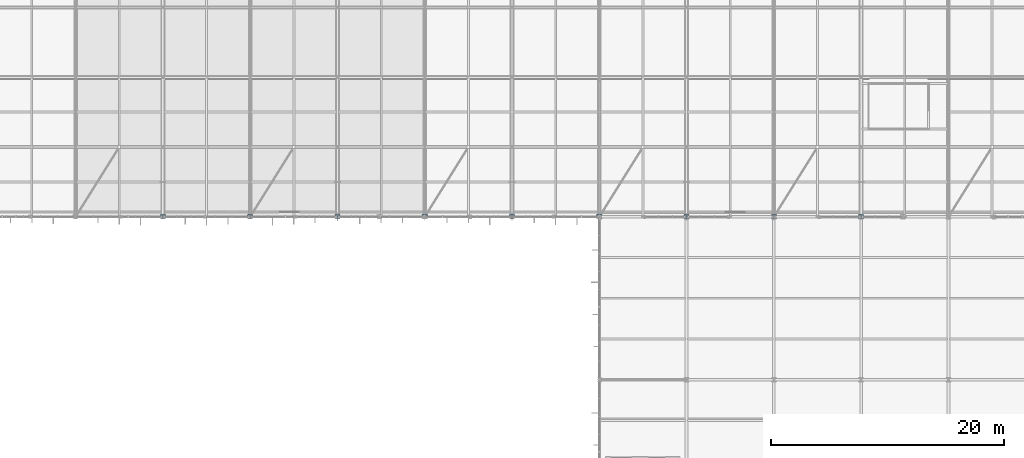
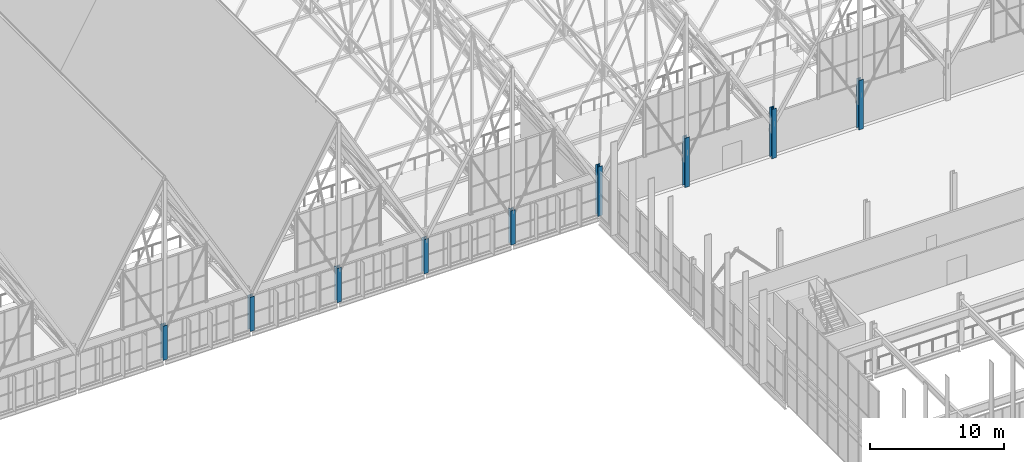
# One storey, part 9 of 324: 9 columns.
"""IFC4 building model written with IfcOpenShell, lengths in metres."""

import ifcopenshell
import ifcopenshell.guid

model = None  # the IFC model being written
_history = None  # IfcOwnerHistory: only IFC2X3 demands one
_inside = {}  # id of a spatial element -> (the spatial element, [elements in it])
_under = {}  # id of a project, library or spatial element -> (it, [spatial elements below it])
_declared = {}  # id of a project -> (the project, [libraries it declares])
_typed = {}  # id of a type object -> (the type object, [elements of that type])
_made_of = {}  # id of a material, layer set ... -> (it, [elements and type objects made of it])


def new_model(schema):
    """Start an empty IFC model of exactly this schema.

    Asked for "IFC4X3", IfcOpenShell would pick the latest addendum, in which some entities
    have other attributes; the version numbers below select the first issue.
    IFC2X3 requires an IfcOwnerHistory on every rooted entity: one is made here for all.
    """
    global model, _history
    if schema == "IFC4X3":
        model = ifcopenshell.file(schema_version=(4, 3, 0, 0))
    else:
        model = ifcopenshell.file(schema=schema)
    _inside.clear()
    _under.clear()
    _declared.clear()
    _typed.clear()
    _made_of.clear()
    _history = None
    if model.schema == "IFC2X3":
        org = make("IfcOrganization", Name="unknown")
        user = make(
            "IfcPersonAndOrganization",
            ThePerson=make("IfcPerson", FamilyName="unknown"),
            TheOrganization=org,
        )
        app = make(
            "IfcApplication",
            ApplicationDeveloper=org,
            Version="unknown",
            ApplicationFullName="unknown",
            ApplicationIdentifier="unknown",
        )
        _history = make(
            "IfcOwnerHistory",
            OwningUser=user,
            OwningApplication=app,
            ChangeAction="ADDED",
            CreationDate=0,
        )
    return model


def make(cls, **values):
    """One entity of the class cls with the attributes given. An attribute that is None is left unset."""
    return model.create_entity(
        cls, **{name: value for name, value in values.items() if value is not None}
    )


def rooted(cls, **values):
    """An entity with a GlobalId (a new one), such as an element, a storey or a relation."""
    return make(cls, GlobalId=ifcopenshell.guid.new(), OwnerHistory=_history, **values)


def si_unit(unit_type, name, prefix=None):
    """IfcSIUnit, for example si_unit("LENGTHUNIT", "METRE", prefix="MILLI")."""
    return make("IfcSIUnit", UnitType=unit_type, Prefix=prefix, Name=name)


def assignment(units):
    """IfcUnitAssignment: the units of a project."""
    return None if units is None else make("IfcUnitAssignment", Units=units)


def point(xyz):
    """IfcCartesianPoint."""
    return None if xyz is None else make("IfcCartesianPoint", Coordinates=xyz)


def direction(xyz):
    """IfcDirection."""
    return None if xyz is None else make("IfcDirection", DirectionRatios=xyz)


def frame(location, z_axis=None, x_axis=None):
    """IfcAxis2Placement3D, a coordinate frame: its origin and axes. An axis left out is left unset."""
    return make(
        "IfcAxis2Placement3D",
        Location=point(location),
        Axis=direction(z_axis),
        RefDirection=direction(x_axis),
    )


def frame_2d(location, x_axis=None):
    """IfcAxis2Placement2D, a coordinate frame in the plane: its origin and x axis."""
    return make(
        "IfcAxis2Placement2D", Location=point(location), RefDirection=direction(x_axis)
    )


def origin():
    """The frame at (0, 0, 0) with its axes left unset."""
    return frame((0.0, 0.0, 0.0))


def origin_2d():
    """The frame at (0, 0) in the plane with its x axis left unset."""
    return frame_2d((0.0, 0.0))


def place(relative_to, where):
    """IfcLocalPlacement: puts the frame where relative to a parent placement (None: the world)."""
    return make(
        "IfcLocalPlacement", PlacementRelTo=relative_to, RelativePlacement=where
    )


def context(
    kind, dimensions, precision=None, world=None, true_north=None, identifier=None
):
    """IfcGeometricRepresentationContext, for example the 3D "Model" context."""
    return make(
        "IfcGeometricRepresentationContext",
        ContextIdentifier=identifier,
        ContextType=kind,
        CoordinateSpaceDimension=dimensions,
        Precision=precision,
        WorldCoordinateSystem=world,
        TrueNorth=true_north,
    )


def subcontext(parent, identifier, kind, view, scale=None):
    """IfcGeometricRepresentationSubContext, for example "Body" below "Model"."""
    return make(
        "IfcGeometricRepresentationSubContext",
        ContextIdentifier=identifier,
        ContextType=kind,
        ParentContext=parent,
        TargetScale=scale,
        TargetView=view,
    )


def project(units=None, contexts=None):
    """IfcProject with its units and contexts."""
    return rooted(
        "IfcProject",
        Name="project",
        RepresentationContexts=contexts,
        UnitsInContext=assignment(units),
    )


def spatial(cls, under=None, at=None, **own):
    """A site, building, storey or space (cls), placed at a placement, below another one or the project."""
    s = rooted(cls, ObjectPlacement=at, **own)
    if under is not None:
        _under.setdefault(under.id(), (under, []))[1].append(s)
    return s


def profile(cls, at=None, kind="AREA", **sizes):
    """A parametric profile (cls). Its sizes go by their IFC names, for example OverallWidth=200.0."""
    return make(cls, ProfileType=kind, Position=at, **sizes)


def i_section(**sizes):
    """IfcIShapeProfileDef."""
    return profile("IfcIShapeProfileDef", **sizes)


def extrude(swept, where, along, depth):
    """IfcExtrudedAreaSolid: the profile swept, set in the frame where, extruded along a direction by depth."""
    return make(
        "IfcExtrudedAreaSolid",
        SweptArea=swept,
        Position=where,
        ExtrudedDirection=direction(along),
        Depth=depth,
    )


def shape(context_of_items, identifier, shape_type, items):
    """IfcShapeRepresentation: the items that make up one representation, for example the "Body"."""
    return make(
        "IfcShapeRepresentation",
        ContextOfItems=context_of_items,
        RepresentationIdentifier=identifier,
        RepresentationType=shape_type,
        Items=items,
    )


def material(Name=None, Category=None):
    """IfcMaterial."""
    return make("IfcMaterial", Name=Name, Category=Category)


def material_profile(
    of_material, cross_section, Name=None, Category=None, Priority=None
):
    """IfcMaterialProfile: a cross section and its material."""
    return make(
        "IfcMaterialProfile",
        Name=Name,
        Material=of_material,
        Profile=cross_section,
        Priority=Priority,
        Category=Category,
    )


def profile_set(profiles, Name=None, composite=None):
    """IfcMaterialProfileSet."""
    return make(
        "IfcMaterialProfileSet",
        Name=Name,
        MaterialProfiles=profiles,
        CompositeProfile=composite,
    )


def made_of(thing, what):
    """Note that an element or type object is made of a material, layer set ...; save() writes the relation."""
    if what is not None:
        _made_of.setdefault(what.id(), (what, []))[1].append(thing)
    return thing


def type_object(cls, material=None, **own):
    """A type object (cls), such as IfcWallType, which elements share."""
    return made_of(rooted(cls, **own), material)


def element(
    cls,
    number,
    at=None,
    inside=None,
    cuts=None,
    type_object=None,
    material=None,
    context=None,
    identifier="Body",
    shape_type=None,
    held_by="IfcProductDefinitionShape",
    body=None,
    shapes=None,
    **own,
):
    """One element of the class cls, such as IfcWall. Its Tag is "e" and its number.

    at: its placement. inside: the storey or other place that contains it. cuts: it is an
    opening in that element (IfcRelVoidsElement). A single representation is given by context,
    identifier, shape_type and body (its items); several are given by shapes. held_by: the class
    of the entity that holds the representations. save() writes the other relations.
    """
    e = rooted(cls, Tag="e%d" % number, ObjectPlacement=at, **own)
    if body is not None:
        shapes = [shape(context, identifier, shape_type, body)]
    if shapes is not None:
        e.Representation = make(held_by, Representations=shapes)
    if inside is not None:
        _inside.setdefault(inside.id(), (inside, []))[1].append(e)
    if cuts is not None:
        rooted(
            "IfcRelVoidsElement", RelatingBuildingElement=cuts, RelatedOpeningElement=e
        )
    if type_object is not None:
        _typed.setdefault(type_object.id(), (type_object, []))[1].append(e)
    return made_of(e, material)


def aggregate(whole, parts):
    """IfcRelAggregates: a whole, such as a stair, and the parts it consists of."""
    return rooted("IfcRelAggregates", RelatingObject=whole, RelatedObjects=parts)


def save(model, path):
    """Write the relations noted so far, then the file.

    IfcRelAggregates (storeys below a building ...), IfcRelContainedInSpatialStructure (elements
    in a storey), IfcRelDefinesByType, IfcRelAssociatesMaterial and IfcRelDeclares: one each for
    every whole, place, type object, material and project.
    """
    for whole, parts in _under.values():
        aggregate(whole, parts)
    for where, things in _inside.values():
        rooted(
            "IfcRelContainedInSpatialStructure",
            RelatedElements=things,
            RelatingStructure=where,
        )
    for kind, things in _typed.values():
        rooted("IfcRelDefinesByType", RelatedObjects=things, RelatingType=kind)
    for what, things in _made_of.values():
        rooted("IfcRelAssociatesMaterial", RelatedObjects=things, RelatingMaterial=what)
    for by, libraries in _declared.values():
        rooted("IfcRelDeclares", RelatingContext=by, RelatedDefinitions=libraries)
    model.write(path)


model = new_model("IFC4")

# Units and contexts
model_context = context("Model", 3, precision=1e-05, world=origin(), true_north=direction((0.0, 1.0)))
body_context = subcontext(model_context, "Body", "Model", "MODEL_VIEW")
ifc_project = project(units=[si_unit("LENGTHUNIT", "METRE"), si_unit("AREAUNIT", "SQUARE_METRE"), si_unit("VOLUMEUNIT", "CUBIC_METRE"), si_unit("PLANEANGLEUNIT", "RADIAN"), si_unit("MASSUNIT", "GRAM", prefix="KILO")], contexts=[model_context])

# Site, building, storey
site_placement = place(None, origin())
site = spatial("IfcSite", under=ifc_project, at=site_placement, CompositionType="ELEMENT")
building_placement = place(site_placement, origin())
building = spatial("IfcBuilding", under=site, at=building_placement, Name="Solvenia Promenade Tram Depot", CompositionType="ELEMENT")
storey_placement = place(building_placement, frame((0.0, 0.0, 4.5)))
storey = spatial("IfcBuildingStorey", under=building, at=storey_placement, Name="L01", CompositionType="ELEMENT", Elevation=4.5)

# Columns
ifc_material = material(Name="Structural steel ASTM A992 Gr. 50", Category="steel")
ifc_material_profile = material_profile(ifc_material, i_section(OverallWidth=0.39404296875, OverallDepth=0.375, WebThickness=0.0205078125, FlangeThickness=0.033203125, FilletRadius=0.01806640625, at=origin_2d()), Name="W360x216", Category="steel")
ifc_profile_set = profile_set([ifc_material_profile], Name="Structural steel ASTM A992 Gr. 50")
column_type = type_object("IfcColumnType", Name="Col-W360x216", PredefinedType="COLUMN", material=ifc_profile_set)
for number, where, z_axis, x_axis, name in (
    (1, (67.5, 66.0, 0.0), (0.0, 0.0, 1.0), (1.0, 0.0, 0.0), "Steel Column COL-L01-156"),
    (2, (75.0, 66.0, 0.0), (0.0, 0.0, 1.0), (1.0, 0.0, 0.0), "Steel Column COL-L01-167"),
    (3, (82.5, 66.0, 0.0), (0.0, 0.0, 1.0), (1.0, 0.0, 0.0), "Steel Column COL-L01-178"),
    (4, (90.0, 66.0, 0.0), (0.0, 0.0, 1.0), (1.0, 0.0, 0.0), "Steel Column COL-L01-187"),
    (5, (97.5, 66.0, 0.0), (0.0, 0.0, 1.0), (1.0, 0.0, 0.0), "Steel Column COL-L01-192"),
):
    element("IfcColumn", number, at=place(storey_placement, frame(where, z_axis=z_axis, x_axis=x_axis)), inside=storey, type_object=column_type, Name=name, PredefinedType="COLUMN", context=body_context, shape_type="SweptSolid", body=[
        extrude(i_section(OverallWidth=0.39404296875, OverallDepth=0.375, WebThickness=0.0205078125, FlangeThickness=0.033203125, FilletRadius=0.01806640625, at=origin_2d()), origin(), (0.0, 0.0, 1.0), 3.1201171875),
    ])
for number, where, z_axis, x_axis, name in (
    (6, (105.0, 66.0, 0.0), (0.0, 0.0, 1.0), (1.0, 0.0, 0.0), "Steel Column COL-L01-206"),
    (7, (112.5, 66.0, 0.0), (0.0, 0.0, 1.0), (1.0, 0.0, 0.0), "Steel Column COL-L01-221"),
    (8, (120.0, 66.0, 0.0), (0.0, 0.0, 1.0), (1.0, 0.0, 0.0), "Steel Column COL-L01-238"),
    (9, (127.5, 66.0, 0.0), (0.0, 0.0, 1.0), (1.0, 0.0, 0.0), "Steel Column COL-L01-256"),
):
    element("IfcColumn", number, at=place(storey_placement, frame(where, z_axis=z_axis, x_axis=x_axis)), inside=storey, type_object=column_type, Name=name, PredefinedType="COLUMN", context=body_context, shape_type="SweptSolid", body=[
        extrude(i_section(OverallWidth=0.39404296875, OverallDepth=0.375, WebThickness=0.0205078125, FlangeThickness=0.033203125, FilletRadius=0.01806640625, at=origin_2d()), origin(), (0.0, 0.0, 1.0), 4.5),
    ])

save(model, "model.ifc")
